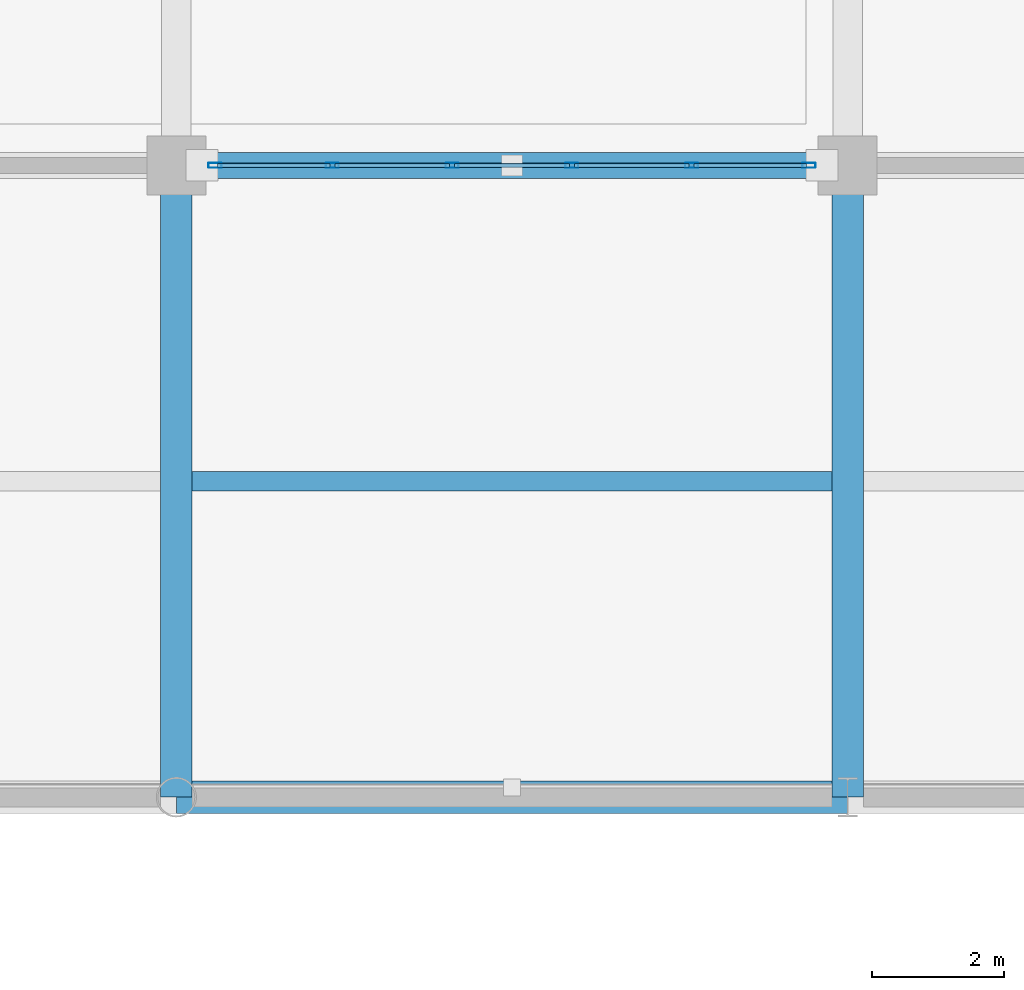
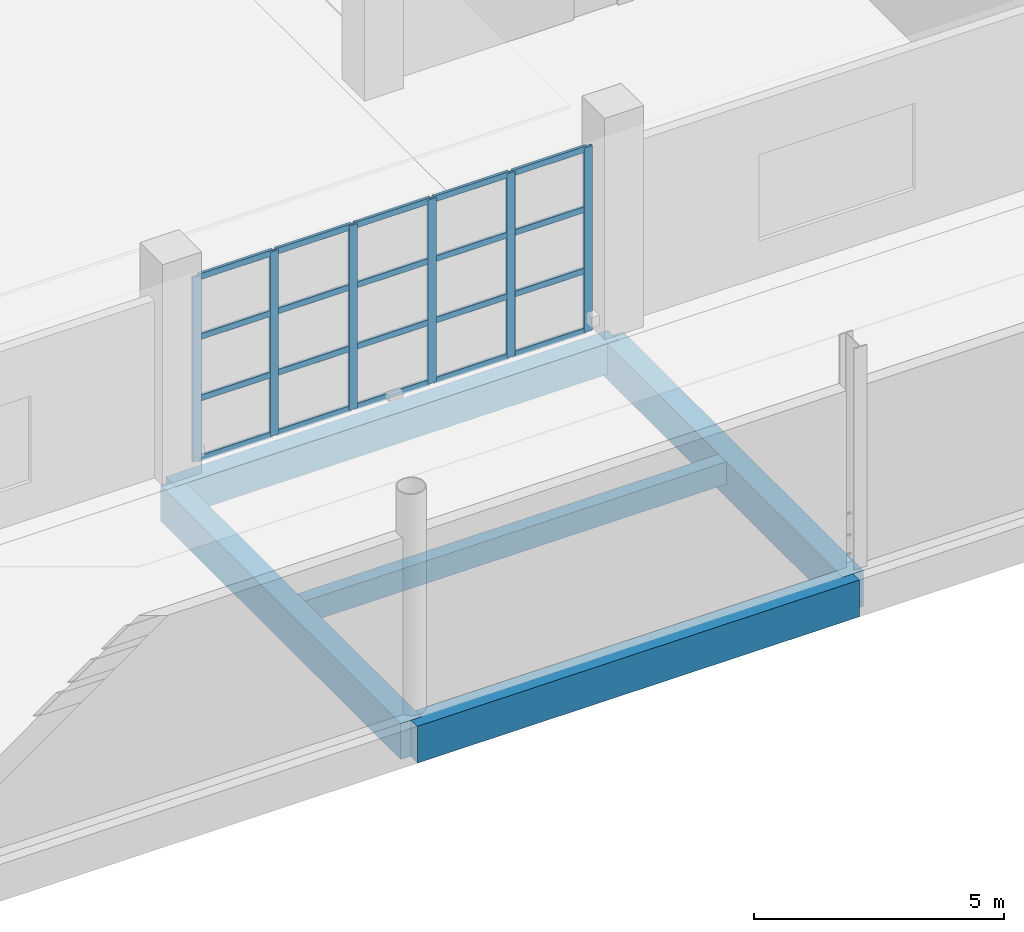
# One storey, part 42 of 175: 26 members, 5 beams, 1 element without a shape of its own.
"""IFC4 building model written with IfcOpenShell, lengths in metres."""

from ifc_helpers import new_model, si_unit, direction, frame, origin, origin_2d, place, context, subcontext, project, spatial, rectangle, hollow_rectangle, extrude, material, material_profile, profile_set, type_object, element, aggregate, save


model = new_model("IFC4")

# Units and contexts
model_context = context("Model", 3, precision=1e-05, world=origin(), true_north=direction((0.0, 1.0)))
body_context = subcontext(model_context, "Body", "Model", "MODEL_VIEW")
ifc_project = project(units=[si_unit("LENGTHUNIT", "METRE"), si_unit("AREAUNIT", "SQUARE_METRE"), si_unit("VOLUMEUNIT", "CUBIC_METRE"), si_unit("PLANEANGLEUNIT", "RADIAN"), si_unit("MASSUNIT", "GRAM", prefix="KILO")], contexts=[model_context])

# Site, building, storey
site_placement = place(None, origin())
site = spatial("IfcSite", under=ifc_project, at=site_placement, CompositionType="ELEMENT")
building_placement = place(site_placement, origin())
building = spatial("IfcBuilding", under=site, at=building_placement, Name="Brelvane Convention Centre", CompositionType="ELEMENT")
storey_placement = place(building_placement, frame((0.0, 0.0, 5.39990234375)))
storey = spatial("IfcBuildingStorey", under=building, at=storey_placement, Name="L01", CompositionType="ELEMENT", Elevation=5.39990234375)

# Curtain wall, members
ifc_material_1 = material(Name="Anodised Aluminium Alloy 6063-T6", Category="aluminium")
curtain_wall_type = type_object("IfcCurtainWallType", Name="Curtain Wall CW-COURT", PredefinedType="USERDEFINED", material=ifc_material_1)
curtain_wall_placement = place(storey_placement, origin())
curtain_wall = element("IfcCurtainWall", 1, at=curtain_wall_placement, inside=storey, type_object=curtain_wall_type, Name="Curtain Wall CW-COURT L01-V4S-09", ObjectType="UNITISED", PredefinedType="USERDEFINED")
ifc_material_2 = material(Name="Anodised Aluminium Alloy 6063-T6", Category="aluminium")
ifc_material_profile_1 = material_profile(ifc_material_2, hollow_rectangle(XDim=0.074951171875, YDim=0.199951171875, WallThickness=0.0048828125, InnerFilletRadius=0.0048828125, OuterFilletRadius=0.010009765625, at=origin_2d()), Name="ALU-M 200x75x5.0")
ifc_profile_set_1 = profile_set([ifc_material_profile_1], Name="Anodised Aluminium Alloy 6063-T6")
member_type_1 = type_object("IfcMemberType", Name="Curtain Mullion CW-M2", PredefinedType="MULLION", material=ifc_profile_set_1)
member_1_placement = place(storey_placement, frame((82.1875, 109.199951171875, 0.0), z_axis=(0.0, 0.0, 1.0), x_axis=(0.0, 1.0, 0.0)))
member_1 = element("IfcMember", 2, at=member_1_placement, type_object=member_type_1, Name="CW-COURT mullion 1", PredefinedType="MULLION", context=body_context, shape_type="SweptSolid", body=[
    extrude(hollow_rectangle(XDim=0.074951171875, YDim=0.199951171875, WallThickness=0.0048828125, InnerFilletRadius=0.0048828125, OuterFilletRadius=0.010009765625, at=origin_2d()), origin(), (0.0, 0.0, 1.0), 4.5),
])
member_2_placement = place(storey_placement, frame((83.969970703125, 109.199951171875, 0.0), z_axis=(0.0, 0.0, 1.0), x_axis=(0.0, 1.0, 0.0)))
member_2 = element("IfcMember", 3, at=member_2_placement, type_object=member_type_1, Name="CW-COURT mullion 2", PredefinedType="MULLION", context=body_context, shape_type="SweptSolid", body=[
    extrude(hollow_rectangle(XDim=0.074951171875, YDim=0.199951171875, WallThickness=0.0048828125, InnerFilletRadius=0.0048828125, OuterFilletRadius=0.010009765625, at=origin_2d()), origin(), (0.0, 0.0, 1.0), 4.5),
])
member_3_placement = place(storey_placement, frame((85.7900390625, 109.199951171875, 0.0), z_axis=(0.0, 0.0, 1.0), x_axis=(0.0, 1.0, 0.0)))
member_3 = element("IfcMember", 4, at=member_3_placement, type_object=member_type_1, Name="CW-COURT mullion 3", PredefinedType="MULLION", context=body_context, shape_type="SweptSolid", body=[
    extrude(hollow_rectangle(XDim=0.074951171875, YDim=0.199951171875, WallThickness=0.0048828125, InnerFilletRadius=0.0048828125, OuterFilletRadius=0.010009765625, at=origin_2d()), origin(), (0.0, 0.0, 1.0), 4.5),
])
member_4_placement = place(storey_placement, frame((87.610107421875, 109.199951171875, 0.0), z_axis=(0.0, 0.0, 1.0), x_axis=(0.0, 1.0, 0.0)))
member_4 = element("IfcMember", 5, at=member_4_placement, type_object=member_type_1, Name="CW-COURT mullion 4", PredefinedType="MULLION", context=body_context, shape_type="SweptSolid", body=[
    extrude(hollow_rectangle(XDim=0.074951171875, YDim=0.199951171875, WallThickness=0.0048828125, InnerFilletRadius=0.0048828125, OuterFilletRadius=0.010009765625, at=origin_2d()), origin(), (0.0, 0.0, 1.0), 4.5),
])
member_5_placement = place(storey_placement, frame((89.429931640625, 109.199951171875, 0.0), z_axis=(0.0, 0.0, 1.0), x_axis=(0.0, 1.0, 0.0)))
member_5 = element("IfcMember", 6, at=member_5_placement, type_object=member_type_1, Name="CW-COURT mullion 5", PredefinedType="MULLION", context=body_context, shape_type="SweptSolid", body=[
    extrude(hollow_rectangle(XDim=0.074951171875, YDim=0.199951171875, WallThickness=0.0048828125, InnerFilletRadius=0.0048828125, OuterFilletRadius=0.010009765625, at=origin_2d()), origin(), (0.0, 0.0, 1.0), 4.5),
])
member_6_placement = place(storey_placement, frame((91.21240234375, 109.199951171875, 0.0), z_axis=(0.0, 0.0, 1.0), x_axis=(0.0, 1.0, 0.0)))
member_6 = element("IfcMember", 7, at=member_6_placement, type_object=member_type_1, Name="CW-COURT mullion 6", PredefinedType="MULLION", context=body_context, shape_type="SweptSolid", body=[
    extrude(hollow_rectangle(XDim=0.074951171875, YDim=0.199951171875, WallThickness=0.0048828125, InnerFilletRadius=0.0048828125, OuterFilletRadius=0.010009765625, at=origin_2d()), origin(), (0.0, 0.0, 1.0), 4.5),
])
ifc_material_3 = material(Name="Anodised Aluminium Alloy 6063-T6", Category="aluminium")
ifc_material_profile_2 = material_profile(ifc_material_3, hollow_rectangle(XDim=0.070068359375, YDim=0.14990234375, WallThickness=0.00439453125, InnerFilletRadius=0.00439453125, OuterFilletRadius=0.009033203125, at=origin_2d()), Name="ALU-T 150x70x4.5")
ifc_profile_set_2 = profile_set([ifc_material_profile_2], Name="Anodised Aluminium Alloy 6063-T6")
member_type_2 = type_object("IfcMemberType", Name="Curtain Transom CW-T2", PredefinedType="USERDEFINED", material=ifc_profile_set_2)
member_7_placement = place(storey_placement, frame((82.22509765625, 109.199951171875, 0.03515625), z_axis=(1.0, 0.0, 0.0), x_axis=(0.0, 1.0, 0.0)))
member_7 = element("IfcMember", 8, at=member_7_placement, type_object=member_type_2, Name="CW-COURT transom 1.1", ObjectType="TRANSOM", PredefinedType="USERDEFINED", context=body_context, shape_type="SweptSolid", body=[
    extrude(hollow_rectangle(XDim=0.070068359375, YDim=0.14990234375, WallThickness=0.00439453125, InnerFilletRadius=0.00439453125, OuterFilletRadius=0.009033203125, at=origin_2d()), origin(), (0.0, 0.0, 1.0), 1.70751953125),
])
member_8_placement = place(storey_placement, frame((82.22509765625, 109.199951171875, 1.5), z_axis=(1.0, 0.0, 0.0), x_axis=(0.0, 1.0, 0.0)))
member_8 = element("IfcMember", 9, at=member_8_placement, type_object=member_type_2, Name="CW-COURT transom 1.2", ObjectType="TRANSOM", PredefinedType="USERDEFINED", context=body_context, shape_type="SweptSolid", body=[
    extrude(hollow_rectangle(XDim=0.070068359375, YDim=0.14990234375, WallThickness=0.00439453125, InnerFilletRadius=0.00439453125, OuterFilletRadius=0.009033203125, at=origin_2d()), origin(), (0.0, 0.0, 1.0), 1.70751953125),
])
member_9_placement = place(storey_placement, frame((82.22509765625, 109.199951171875, 3.0), z_axis=(1.0, 0.0, 0.0), x_axis=(0.0, 1.0, 0.0)))
member_9 = element("IfcMember", 10, at=member_9_placement, type_object=member_type_2, Name="CW-COURT transom 1.3", ObjectType="TRANSOM", PredefinedType="USERDEFINED", context=body_context, shape_type="SweptSolid", body=[
    extrude(hollow_rectangle(XDim=0.070068359375, YDim=0.14990234375, WallThickness=0.00439453125, InnerFilletRadius=0.00439453125, OuterFilletRadius=0.009033203125, at=origin_2d()), origin(), (0.0, 0.0, 1.0), 1.70751953125),
])
member_10_placement = place(storey_placement, frame((82.22509765625, 109.199951171875, 4.465087890625), z_axis=(1.0, 0.0, 0.0), x_axis=(0.0, 1.0, 0.0)))
member_10 = element("IfcMember", 11, at=member_10_placement, type_object=member_type_2, Name="CW-COURT transom 1.4", ObjectType="TRANSOM", PredefinedType="USERDEFINED", context=body_context, shape_type="SweptSolid", body=[
    extrude(hollow_rectangle(XDim=0.070068359375, YDim=0.14990234375, WallThickness=0.00439453125, InnerFilletRadius=0.00439453125, OuterFilletRadius=0.009033203125, at=origin_2d()), origin(), (0.0, 0.0, 1.0), 1.70751953125),
])
member_11_placement = place(storey_placement, frame((84.007568359375, 109.199951171875, 0.03515625), z_axis=(1.0, 0.0, 0.0), x_axis=(0.0, 1.0, 0.0)))
member_11 = element("IfcMember", 12, at=member_11_placement, type_object=member_type_2, Name="CW-COURT transom 2.1", ObjectType="TRANSOM", PredefinedType="USERDEFINED", context=body_context, shape_type="SweptSolid", body=[
    extrude(hollow_rectangle(XDim=0.070068359375, YDim=0.14990234375, WallThickness=0.00439453125, InnerFilletRadius=0.00439453125, OuterFilletRadius=0.009033203125, at=origin_2d()), origin(), (0.0, 0.0, 1.0), 1.744873046875),
])
member_12_placement = place(storey_placement, frame((84.007568359375, 109.199951171875, 1.5), z_axis=(1.0, 0.0, 0.0), x_axis=(0.0, 1.0, 0.0)))
member_12 = element("IfcMember", 13, at=member_12_placement, type_object=member_type_2, Name="CW-COURT transom 2.2", ObjectType="TRANSOM", PredefinedType="USERDEFINED", context=body_context, shape_type="SweptSolid", body=[
    extrude(hollow_rectangle(XDim=0.070068359375, YDim=0.14990234375, WallThickness=0.00439453125, InnerFilletRadius=0.00439453125, OuterFilletRadius=0.009033203125, at=origin_2d()), origin(), (0.0, 0.0, 1.0), 1.744873046875),
])
member_13_placement = place(storey_placement, frame((84.007568359375, 109.199951171875, 3.0), z_axis=(1.0, 0.0, 0.0), x_axis=(0.0, 1.0, 0.0)))
member_13 = element("IfcMember", 14, at=member_13_placement, type_object=member_type_2, Name="CW-COURT transom 2.3", ObjectType="TRANSOM", PredefinedType="USERDEFINED", context=body_context, shape_type="SweptSolid", body=[
    extrude(hollow_rectangle(XDim=0.070068359375, YDim=0.14990234375, WallThickness=0.00439453125, InnerFilletRadius=0.00439453125, OuterFilletRadius=0.009033203125, at=origin_2d()), origin(), (0.0, 0.0, 1.0), 1.744873046875),
])
member_14_placement = place(storey_placement, frame((84.007568359375, 109.199951171875, 4.465087890625), z_axis=(1.0, 0.0, 0.0), x_axis=(0.0, 1.0, 0.0)))
member_14 = element("IfcMember", 15, at=member_14_placement, type_object=member_type_2, Name="CW-COURT transom 2.4", ObjectType="TRANSOM", PredefinedType="USERDEFINED", context=body_context, shape_type="SweptSolid", body=[
    extrude(hollow_rectangle(XDim=0.070068359375, YDim=0.14990234375, WallThickness=0.00439453125, InnerFilletRadius=0.00439453125, OuterFilletRadius=0.009033203125, at=origin_2d()), origin(), (0.0, 0.0, 1.0), 1.744873046875),
])
member_15_placement = place(storey_placement, frame((85.827392578125, 109.199951171875, 0.03515625), z_axis=(1.0, 0.0, 0.0), x_axis=(0.0, 1.0, 0.0)))
member_15 = element("IfcMember", 16, at=member_15_placement, type_object=member_type_2, Name="CW-COURT transom 3.1", ObjectType="TRANSOM", PredefinedType="USERDEFINED", context=body_context, shape_type="SweptSolid", body=[
    extrude(hollow_rectangle(XDim=0.070068359375, YDim=0.14990234375, WallThickness=0.00439453125, InnerFilletRadius=0.00439453125, OuterFilletRadius=0.009033203125, at=origin_2d()), origin(), (0.0, 0.0, 1.0), 1.7451171875),
])
member_16_placement = place(storey_placement, frame((85.827392578125, 109.199951171875, 1.5), z_axis=(1.0, 0.0, 0.0), x_axis=(0.0, 1.0, 0.0)))
member_16 = element("IfcMember", 17, at=member_16_placement, type_object=member_type_2, Name="CW-COURT transom 3.2", ObjectType="TRANSOM", PredefinedType="USERDEFINED", context=body_context, shape_type="SweptSolid", body=[
    extrude(hollow_rectangle(XDim=0.070068359375, YDim=0.14990234375, WallThickness=0.00439453125, InnerFilletRadius=0.00439453125, OuterFilletRadius=0.009033203125, at=origin_2d()), origin(), (0.0, 0.0, 1.0), 1.7451171875),
])
member_17_placement = place(storey_placement, frame((85.827392578125, 109.199951171875, 3.0), z_axis=(1.0, 0.0, 0.0), x_axis=(0.0, 1.0, 0.0)))
member_17 = element("IfcMember", 18, at=member_17_placement, type_object=member_type_2, Name="CW-COURT transom 3.3", ObjectType="TRANSOM", PredefinedType="USERDEFINED", context=body_context, shape_type="SweptSolid", body=[
    extrude(hollow_rectangle(XDim=0.070068359375, YDim=0.14990234375, WallThickness=0.00439453125, InnerFilletRadius=0.00439453125, OuterFilletRadius=0.009033203125, at=origin_2d()), origin(), (0.0, 0.0, 1.0), 1.7451171875),
])
member_18_placement = place(storey_placement, frame((85.827392578125, 109.199951171875, 4.465087890625), z_axis=(1.0, 0.0, 0.0), x_axis=(0.0, 1.0, 0.0)))
member_18 = element("IfcMember", 19, at=member_18_placement, type_object=member_type_2, Name="CW-COURT transom 3.4", ObjectType="TRANSOM", PredefinedType="USERDEFINED", context=body_context, shape_type="SweptSolid", body=[
    extrude(hollow_rectangle(XDim=0.070068359375, YDim=0.14990234375, WallThickness=0.00439453125, InnerFilletRadius=0.00439453125, OuterFilletRadius=0.009033203125, at=origin_2d()), origin(), (0.0, 0.0, 1.0), 1.7451171875),
])
member_19_placement = place(storey_placement, frame((87.6474609375, 109.199951171875, 0.03515625), z_axis=(1.0, 0.0, 0.0), x_axis=(0.0, 1.0, 0.0)))
member_19 = element("IfcMember", 20, at=member_19_placement, type_object=member_type_2, Name="CW-COURT transom 4.1", ObjectType="TRANSOM", PredefinedType="USERDEFINED", context=body_context, shape_type="SweptSolid", body=[
    extrude(hollow_rectangle(XDim=0.070068359375, YDim=0.14990234375, WallThickness=0.00439453125, InnerFilletRadius=0.00439453125, OuterFilletRadius=0.009033203125, at=origin_2d()), origin(), (0.0, 0.0, 1.0), 1.7451171875),
])
member_20_placement = place(storey_placement, frame((87.6474609375, 109.199951171875, 1.5), z_axis=(1.0, 0.0, 0.0), x_axis=(0.0, 1.0, 0.0)))
member_20 = element("IfcMember", 21, at=member_20_placement, type_object=member_type_2, Name="CW-COURT transom 4.2", ObjectType="TRANSOM", PredefinedType="USERDEFINED", context=body_context, shape_type="SweptSolid", body=[
    extrude(hollow_rectangle(XDim=0.070068359375, YDim=0.14990234375, WallThickness=0.00439453125, InnerFilletRadius=0.00439453125, OuterFilletRadius=0.009033203125, at=origin_2d()), origin(), (0.0, 0.0, 1.0), 1.7451171875),
])
member_21_placement = place(storey_placement, frame((87.6474609375, 109.199951171875, 3.0), z_axis=(1.0, 0.0, 0.0), x_axis=(0.0, 1.0, 0.0)))
member_21 = element("IfcMember", 22, at=member_21_placement, type_object=member_type_2, Name="CW-COURT transom 4.3", ObjectType="TRANSOM", PredefinedType="USERDEFINED", context=body_context, shape_type="SweptSolid", body=[
    extrude(hollow_rectangle(XDim=0.070068359375, YDim=0.14990234375, WallThickness=0.00439453125, InnerFilletRadius=0.00439453125, OuterFilletRadius=0.009033203125, at=origin_2d()), origin(), (0.0, 0.0, 1.0), 1.7451171875),
])
member_22_placement = place(storey_placement, frame((87.6474609375, 109.199951171875, 4.465087890625), z_axis=(1.0, 0.0, 0.0), x_axis=(0.0, 1.0, 0.0)))
member_22 = element("IfcMember", 23, at=member_22_placement, type_object=member_type_2, Name="CW-COURT transom 4.4", ObjectType="TRANSOM", PredefinedType="USERDEFINED", context=body_context, shape_type="SweptSolid", body=[
    extrude(hollow_rectangle(XDim=0.070068359375, YDim=0.14990234375, WallThickness=0.00439453125, InnerFilletRadius=0.00439453125, OuterFilletRadius=0.009033203125, at=origin_2d()), origin(), (0.0, 0.0, 1.0), 1.7451171875),
])
member_23_placement = place(storey_placement, frame((89.467529296875, 109.199951171875, 0.03515625), z_axis=(1.0, 0.0, 0.0), x_axis=(0.0, 1.0, 0.0)))
member_23 = element("IfcMember", 24, at=member_23_placement, type_object=member_type_2, Name="CW-COURT transom 5.1", ObjectType="TRANSOM", PredefinedType="USERDEFINED", context=body_context, shape_type="SweptSolid", body=[
    extrude(hollow_rectangle(XDim=0.070068359375, YDim=0.14990234375, WallThickness=0.00439453125, InnerFilletRadius=0.00439453125, OuterFilletRadius=0.009033203125, at=origin_2d()), origin(), (0.0, 0.0, 1.0), 1.70751953125),
])
member_24_placement = place(storey_placement, frame((89.467529296875, 109.199951171875, 1.5), z_axis=(1.0, 0.0, 0.0), x_axis=(0.0, 1.0, 0.0)))
member_24 = element("IfcMember", 25, at=member_24_placement, type_object=member_type_2, Name="CW-COURT transom 5.2", ObjectType="TRANSOM", PredefinedType="USERDEFINED", context=body_context, shape_type="SweptSolid", body=[
    extrude(hollow_rectangle(XDim=0.070068359375, YDim=0.14990234375, WallThickness=0.00439453125, InnerFilletRadius=0.00439453125, OuterFilletRadius=0.009033203125, at=origin_2d()), origin(), (0.0, 0.0, 1.0), 1.70751953125),
])
member_25_placement = place(storey_placement, frame((89.467529296875, 109.199951171875, 3.0), z_axis=(1.0, 0.0, 0.0), x_axis=(0.0, 1.0, 0.0)))
member_25 = element("IfcMember", 26, at=member_25_placement, type_object=member_type_2, Name="CW-COURT transom 5.3", ObjectType="TRANSOM", PredefinedType="USERDEFINED", context=body_context, shape_type="SweptSolid", body=[
    extrude(hollow_rectangle(XDim=0.070068359375, YDim=0.14990234375, WallThickness=0.00439453125, InnerFilletRadius=0.00439453125, OuterFilletRadius=0.009033203125, at=origin_2d()), origin(), (0.0, 0.0, 1.0), 1.70751953125),
])
member_26_placement = place(storey_placement, frame((89.467529296875, 109.199951171875, 4.465087890625), z_axis=(1.0, 0.0, 0.0), x_axis=(0.0, 1.0, 0.0)))
member_26 = element("IfcMember", 27, at=member_26_placement, type_object=member_type_2, Name="CW-COURT transom 5.4", ObjectType="TRANSOM", PredefinedType="USERDEFINED", context=body_context, shape_type="SweptSolid", body=[
    extrude(hollow_rectangle(XDim=0.070068359375, YDim=0.14990234375, WallThickness=0.00439453125, InnerFilletRadius=0.00439453125, OuterFilletRadius=0.009033203125, at=origin_2d()), origin(), (0.0, 0.0, 1.0), 1.70751953125),
])
aggregate(curtain_wall, [member_1, member_2, member_3, member_4, member_5, member_6, member_7, member_8, member_9, member_10, member_11, member_12, member_13, member_14, member_15, member_16, member_17, member_18, member_19, member_20, member_21, member_22, member_23, member_24, member_25, member_26])

# Beams
ifc_material_4 = material(Name="Concrete M40", Category="concrete")
ifc_material_profile_3 = material_profile(ifc_material_4, rectangle(XDim=0.47998046875, YDim=0.8798828125, at=origin_2d()), Name="RC 480x880")
ifc_profile_set_3 = profile_set([ifc_material_profile_3], Name="Concrete M40")
beam_type_1 = type_object("IfcBeamType", Name="RC Beam B-RC10 (RC 480x880)", PredefinedType="BEAM", material=ifc_profile_set_3)
for number, where, z_axis, x_axis, name in (
    (28, (81.60009765625, 99.60009765625, -0.760009765625), (0.0, 1.0, 0.0), (-1.0, 0.0, 0.0), "L01 Girder 9/K-L"),
    (29, (91.800048828125, 99.60009765625, -0.760009765625), (0.0, 1.0, 0.0), (-1.0, 0.0, 0.0), "L01 Girder 10/K-L"),
):
    element("IfcBeam", number, at=place(storey_placement, frame(where, z_axis=z_axis, x_axis=x_axis)), inside=storey, type_object=beam_type_1, Name=name, PredefinedType="BEAM", context=body_context, shape_type="SweptSolid", body=[
        extrude(rectangle(XDim=0.47998046875, YDim=0.8798828125, at=origin_2d()), origin(), (0.0, 0.0, 1.0), 9.599853515625),
    ])
ifc_material_5 = material(Name="Concrete M40", Category="concrete")
ifc_material_profile_4 = material_profile(ifc_material_5, rectangle(XDim=0.5, YDim=0.89990234375, at=origin_2d()), Name="RC 500x900")
ifc_profile_set_4 = profile_set([ifc_material_profile_4], Name="Concrete M40")
beam_type_2 = type_object("IfcBeamType", Name="RC Beam B-RC4 (RC 500x900)", PredefinedType="BEAM", material=ifc_profile_set_4)
beam_1_placement = place(storey_placement, frame((81.60009765625, 99.60009765625, -0.77001953125), z_axis=(1.0, 0.0, 0.0), x_axis=(0.0, 1.0, 0.0)))
element("IfcBeam", 30, at=beam_1_placement, inside=storey, type_object=beam_type_2, Name="L01 Beam 9-10/K", PredefinedType="BEAM", context=body_context, shape_type="SweptSolid", body=[
    extrude(rectangle(XDim=0.5, YDim=0.89990234375, at=origin_2d()), origin(), (0.0, 0.0, 1.0), 10.199951171875),
])
ifc_material_6 = material(Name="Concrete M40", Category="concrete")
ifc_material_profile_5 = material_profile(ifc_material_6, rectangle(XDim=0.300048828125, YDim=0.550048828125, at=origin_2d()), Name="RC 300x550")
ifc_profile_set_5 = profile_set([ifc_material_profile_5], Name="Concrete M40")
beam_type_3 = type_object("IfcBeamType", Name="RC Joist J-RC1 (RC 300x550)", PredefinedType="JOIST", material=ifc_profile_set_5)
beam_2_placement = place(storey_placement, frame((81.840087890625, 104.39990234375, -0.594970703125), z_axis=(1.0, 0.0, 0.0), x_axis=(0.0, 1.0, 0.0)))
element("IfcBeam", 31, at=beam_2_placement, inside=storey, type_object=beam_type_3, Name="L01 Secondary Joist 9-10/KL", PredefinedType="JOIST", context=body_context, shape_type="SweptSolid", body=[
    extrude(rectangle(XDim=0.300048828125, YDim=0.550048828125, at=origin_2d()), origin(), (0.0, 0.0, 1.0), 9.719970703125),
])
ifc_material_7 = material(Name="Concrete M40", Category="concrete")
ifc_material_profile_6 = material_profile(ifc_material_7, rectangle(XDim=0.39990234375, YDim=0.75, at=origin_2d()), Name="RC 400x750")
ifc_profile_set_6 = profile_set([ifc_material_profile_6], Name="Concrete M40")
beam_type_4 = type_object("IfcBeamType", Name="RC Spandrel SP-RC1 (RC 400x750)", PredefinedType="SPANDREL", material=ifc_profile_set_6)
beam_3_placement = place(storey_placement, frame((81.60009765625, 109.199951171875, -0.69482421875), z_axis=(1.0, 0.0, 0.0), x_axis=(0.0, 1.0, 0.0)))
element("IfcBeam", 32, at=beam_3_placement, inside=storey, type_object=beam_type_4, Name="L01 Beam 9-10/L", PredefinedType="SPANDREL", context=body_context, shape_type="SweptSolid", body=[
    extrude(rectangle(XDim=0.39990234375, YDim=0.75, at=origin_2d()), origin(), (0.0, 0.0, 1.0), 10.199951171875),
])

save(model, "model.ifc")
